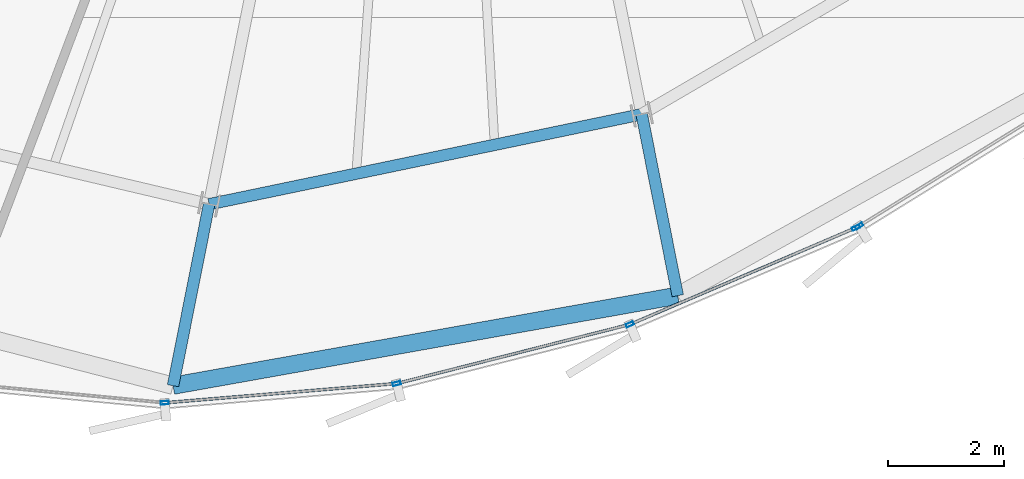
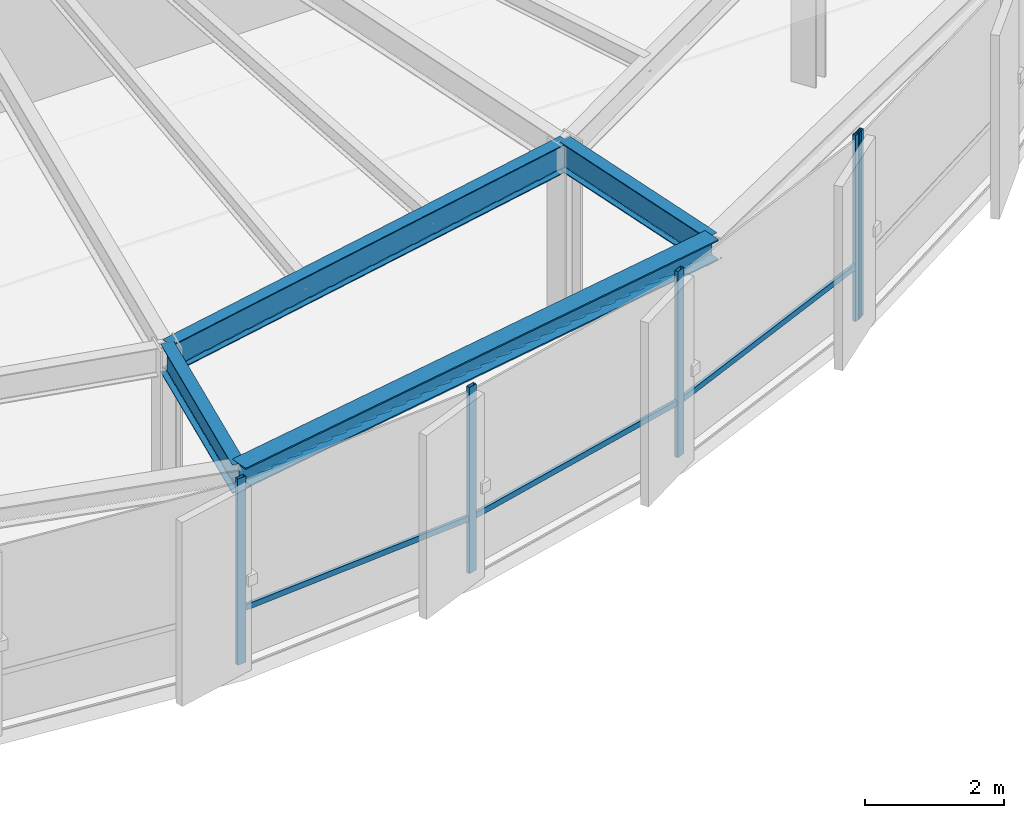
# One storey, part 6 of 33: 8 members, 4 beams, 2 elements without a shape of their own.
"""IFC4 building model written with IfcOpenShell, lengths in metres."""

from ifc_helpers import new_model, si_unit, direction, frame, origin, origin_2d, place, context, subcontext, project, spatial, hollow_rectangle, i_section, extrude, source, transform, mapped, material, layer, layer_set, material_profile, profile_set, type_object, element, aggregate, save


model = new_model("IFC4")

# Units and contexts
model_context = context("Model", 3, precision=1e-05, world=origin(), true_north=direction((0.0, 1.0)))
body_context = subcontext(model_context, "Body", "Model", "MODEL_VIEW")
ifc_project = project(units=[si_unit("LENGTHUNIT", "METRE"), si_unit("AREAUNIT", "SQUARE_METRE"), si_unit("VOLUMEUNIT", "CUBIC_METRE"), si_unit("PLANEANGLEUNIT", "RADIAN"), si_unit("MASSUNIT", "GRAM", prefix="KILO"), si_unit("THERMODYNAMICTEMPERATUREUNIT", "KELVIN")], contexts=[model_context])

# Site, building, storey
site_placement = place(None, origin())
site = spatial("IfcSite", under=ifc_project, at=site_placement, CompositionType="ELEMENT")
building_placement = place(site_placement, origin())
building = spatial("IfcBuilding", under=site, at=building_placement, Name="Kethvar Cultural Tower", CompositionType="ELEMENT")
storey_placement = place(building_placement, frame((0.0, 0.0, 211.39990234375)))
storey = spatial("IfcBuildingStorey", under=building, at=storey_placement, Name="L55", CompositionType="ELEMENT", Elevation=211.39990234375)

# Beams
ifc_material_1 = material(Name="Steel S355J2", Category="steel")
ifc_material_profile_1 = material_profile(ifc_material_1, i_section(OverallWidth=0.199951171875, OverallDepth=0.5, WebThickness=0.01025390625, FlangeThickness=0.01611328125, FilletRadius=0.02099609375, at=origin_2d()), Name="Steel S355J2 — IPE500")
ifc_profile_set_1 = profile_set([ifc_material_profile_1], Name="Steel S355J2 — IPE500")
beam_type_1 = type_object("IfcBeamType", Name="BM-IPE500", PredefinedType="BEAM", material=ifc_profile_set_1)
shared_shape_1 = source(origin(), body_context, "Body", "SweptSolid", [
    extrude(i_section(OverallWidth=0.199951171875, OverallDepth=0.5, WebThickness=0.01025390625, FlangeThickness=0.01611328125, FilletRadius=0.02099609375, at=origin_2d()), origin(), (0.0, 0.0, 1.0), 3.199951171875),
])
for number, where, z_axis, x_axis, name in (
    (1, (42.903564453125, 8.2109375, 3.008056640625), (-0.195088965533, -0.980785550224, 0.0), (0.980785550224, -0.195088965533, 0.0), "L55 Perimeter Cantilever Beam RC-12"),
    (2, (50.38671875, 9.7685546875, 3.008056640625), (0.195088965533, -0.980785550224, 0.0), (0.980785550224, 0.195088965533, 0.0), "L55 Perimeter Cantilever Beam RC-13"),
):
    element("IfcBeam", number, at=place(storey_placement, frame(where, z_axis=z_axis, x_axis=x_axis)), inside=storey, type_object=beam_type_1, Name=name, PredefinedType="BEAM", context=body_context, shape_type="MappedRepresentation", body=[
        mapped(shared_shape_1, transform((0.0, 0.0, 0.0), scale=1.0)),
    ])
shared_shape_2 = source(origin(), body_context, "Body", "SweptSolid", [
    extrude(i_section(OverallWidth=0.199951171875, OverallDepth=0.5, WebThickness=0.01025390625, FlangeThickness=0.01611328125, FilletRadius=0.02099609375, at=origin_2d()), origin(), (0.0, 0.0, 1.0), 7.6435546875),
])
beam_1_placement = place(storey_placement, frame((42.903564453125, 8.2109375, 3.008056640625), z_axis=(0.979016278161, 0.203782057834, 0.0), x_axis=(-0.203782057834, 0.979016278161, 0.0)))
element("IfcBeam", 3, at=beam_1_placement, inside=storey, type_object=beam_type_1, Name="L55 Column Ring Tie Beam CR-12", PredefinedType="BEAM", context=body_context, shape_type="MappedRepresentation", body=[
    mapped(shared_shape_2, transform((0.0, 0.0, 0.0), scale=1.0)),
])
ifc_material_profile_2 = material_profile(ifc_material_1, i_section(OverallWidth=0.300048828125, OverallDepth=0.360107421875, WebThickness=0.012451171875, FlangeThickness=0.0224609375, FilletRadius=0.027099609375, at=origin_2d()), Name="Steel S355J2 — HEB360")
ifc_profile_set_2 = profile_set([ifc_material_profile_2], Name="Steel S355J2 — HEB360")
beam_type_2 = type_object("IfcBeamType", Name="BM-SP360", PredefinedType="SPANDREL", material=ifc_profile_set_2)
shared_shape_3 = source(origin(), body_context, "Body", "SweptSolid", [
    extrude(i_section(OverallWidth=0.300048828125, OverallDepth=0.360107421875, WebThickness=0.012451171875, FlangeThickness=0.0224609375, FilletRadius=0.027099609375, at=origin_2d()), origin(), (0.0, 0.0, 1.0), 8.86962890625),
])
beam_2_placement = place(storey_placement, frame((42.279296875, 5.072509765625, 3.078125), z_axis=(0.984459032332, 0.175614389103, 0.0), x_axis=(-0.175614389103, 0.984459032332, 0.0)))
element("IfcBeam", 4, at=beam_2_placement, inside=storey, type_object=beam_type_2, Name="L55 Perimeter Spandrel Beam SP-12", PredefinedType="SPANDREL", context=body_context, shape_type="MappedRepresentation", body=[
    mapped(shared_shape_3, transform((0.0, 0.0, 0.0), scale=1.0)),
])

# Curtain wall, members
ifc_material_2 = material(Name="Aluminium 6063-T6", Category="aluminium")
ifc_layer = layer(ifc_material_2, 0.179931640625, Name="Aluminium 6063-T6", Category="aluminium")
ifc_layer_set = layer_set([ifc_layer], Name="Aluminium 6063-T6 (180 mm)")
curtain_wall_type = type_object("IfcCurtainWallType", Name="CW-SYS-04-Z34", PredefinedType="NOTDEFINED", material=ifc_layer_set)
curtain_wall_1_placement = place(storey_placement, origin())
curtain_wall_1 = element("IfcCurtainWall", 5, at=curtain_wall_1_placement, inside=storey, type_object=curtain_wall_type, Name="L55 Curtain Wall Run 04", PredefinedType="NOTDEFINED")
ifc_material_profile_3 = material_profile(ifc_material_2, hollow_rectangle(XDim=0.06005859375, YDim=0.139892578125, WallThickness=0.0048828125, at=origin_2d()), Name="Aluminium 6063-T6 — RHS140x60x5")
ifc_profile_set_3 = profile_set([ifc_material_profile_3], Name="Aluminium 6063-T6 — RHS140x60x5")
member_type_1 = type_object("IfcMemberType", Name="CW-SYS-04-Z34-MUL", PredefinedType="MULLION", material=ifc_profile_set_3)
shared_shape_4 = source(origin(), body_context, "Body", "SweptSolid", [
    extrude(hollow_rectangle(XDim=0.06005859375, YDim=0.139892578125, WallThickness=0.0048828125, at=origin_2d()), origin(), (0.0, 0.0, 1.0), 3.260009765625),
])
member_1_placement = place(storey_placement, frame((42.135986328125, 4.776611328125, 0.0), z_axis=(0.0, 0.0, 1.0), x_axis=(-0.082912567153, 0.996556825378, 0.0)))
member_1 = element("IfcMember", 6, at=member_1_placement, type_object=member_type_1, Name="CW-L55-R04 Mullion 4", PredefinedType="MULLION", context=body_context, shape_type="MappedRepresentation", body=[
    mapped(shared_shape_4, transform((0.0, 0.0, 0.0), scale=1.0)),
])
member_2_placement = place(storey_placement, frame((46.149169921875, 5.10888671875, 0.0), z_axis=(0.0, 0.0, 1.0), x_axis=(-0.246051794056, 0.969256681505, 0.0)))
member_2 = element("IfcMember", 7, at=member_2_placement, type_object=member_type_1, Name="CW-L55-R04 Mullion 5", PredefinedType="MULLION", context=body_context, shape_type="MappedRepresentation", body=[
    mapped(shared_shape_4, transform((0.0, 0.0, 0.0), scale=1.0)),
])
member_3_placement = place(storey_placement, frame((50.182861328125, 6.131591796875, 0.0), z_axis=(0.0, 0.0, 1.0), x_axis=(-0.393605002441, 0.919279664766, 0.0)))
member_3 = element("IfcMember", 8, at=member_3_placement, type_object=member_type_1, Name="CW-L55-R04 Mullion 6", PredefinedType="MULLION", context=body_context, shape_type="MappedRepresentation", body=[
    mapped(shared_shape_4, transform((0.0, 0.0, 0.0), scale=1.0)),
])
member_4_placement = place(storey_placement, frame((54.0927734375, 7.8056640625, 0.0), z_axis=(0.0, 0.0, 1.0), x_axis=(-0.393605002441, 0.919279664766, 0.0)))
member_4 = element("IfcMember", 9, at=member_4_placement, type_object=member_type_1, Name="CW-L55-R04 Mullion 7", PredefinedType="MULLION", context=body_context, shape_type="MappedRepresentation", body=[
    mapped(shared_shape_4, transform((0.0, 0.0, 0.0), scale=1.0)),
])

# Curtain wall, member
curtain_wall_2_placement = place(storey_placement, origin())
curtain_wall_2 = element("IfcCurtainWall", 10, at=curtain_wall_2_placement, inside=storey, type_object=curtain_wall_type, Name="L55 Curtain Wall Run 05", PredefinedType="NOTDEFINED")
member_5_placement = place(storey_placement, frame((54.147216796875, 7.833984375, 0.0), z_axis=(0.0, 0.0, 1.0), x_axis=(-0.525634985394, 0.85071021043, 0.0)))
member_5 = element("IfcMember", 11, at=member_5_placement, type_object=member_type_1, Name="CW-L55-R05 Mullion 1", PredefinedType="MULLION", context=body_context, shape_type="MappedRepresentation", body=[
    mapped(shared_shape_4, transform((0.0, 0.0, 0.0), scale=1.0)),
])
aggregate(curtain_wall_2, [member_5])

# Member
ifc_material_profile_4 = material_profile(ifc_material_2, hollow_rectangle(XDim=0.050048828125, YDim=0.10009765625, WallThickness=0.00390625, at=origin_2d()), Name="Aluminium 6063-T6 — RHS100x50x4")
ifc_profile_set_4 = profile_set([ifc_material_profile_4], Name="Aluminium 6063-T6 — RHS100x50x4")
member_type_2 = type_object("IfcMemberType", Name="CW-SYS-04-Z34-TRN", PredefinedType="USERDEFINED", material=ifc_profile_set_4)
shared_shape_5 = source(origin(), body_context, "Body", "SweptSolid", [
    extrude(hollow_rectangle(XDim=0.050048828125, YDim=0.10009765625, WallThickness=0.00390625, at=origin_2d()), origin(), (0.0, 0.0, 1.0), 4.2060546875),
])
member_6_placement = place(storey_placement, frame((50.222412109375, 6.1484375, 0.9501953125), z_axis=(0.919277083392, 0.393611031286, 0.0), x_axis=(-0.393611031286, 0.919277083392, 0.0)))
member_6 = element("IfcMember", 12, at=member_6_placement, type_object=member_type_2, Name="CW-L55-R04 Transom 6", ObjectType="TRANSOM", PredefinedType="USERDEFINED", context=body_context, shape_type="MappedRepresentation", body=[
    mapped(shared_shape_5, transform((0.0, 0.0, 0.0), scale=1.0)),
])

shared_shape_6 = source(origin(), body_context, "Body", "SweptSolid", [
    extrude(hollow_rectangle(XDim=0.050048828125, YDim=0.10009765625, WallThickness=0.00390625, at=origin_2d()), origin(), (0.0, 0.0, 1.0), 3.95849609375),
])
member_7_placement = place(storey_placement, frame((42.17919921875, 4.780029296875, 0.9501953125), z_axis=(0.996553410284, 0.08295360421, 0.0), x_axis=(-0.08295360421, 0.996553410284, 0.0)))
member_7 = element("IfcMember", 13, at=member_7_placement, type_object=member_type_2, Name="CW-L55-R04 Transom 4", ObjectType="TRANSOM", PredefinedType="USERDEFINED", context=body_context, shape_type="MappedRepresentation", body=[
    mapped(shared_shape_6, transform((0.0, 0.0, 0.0), scale=1.0)),
])

shared_shape_7 = source(origin(), body_context, "Body", "SweptSolid", [
    extrude(hollow_rectangle(XDim=0.050048828125, YDim=0.10009765625, WallThickness=0.00390625, at=origin_2d()), origin(), (0.0, 0.0, 1.0), 4.09228515625),
])
member_8_placement = place(storey_placement, frame((46.19091796875, 5.119384765625, 0.9501953125), z_axis=(0.969244549641, 0.246099579421, 0.0), x_axis=(-0.246099579421, 0.969244549641, 0.0)))
member_8 = element("IfcMember", 14, at=member_8_placement, type_object=member_type_2, Name="CW-L55-R04 Transom 5", ObjectType="TRANSOM", PredefinedType="USERDEFINED", context=body_context, shape_type="MappedRepresentation", body=[
    mapped(shared_shape_7, transform((0.0, 0.0, 0.0), scale=1.0)),
])

aggregate(curtain_wall_1, [member_1, member_2, member_3, member_4, member_7, member_8, member_6])

save(model, "model.ifc")
